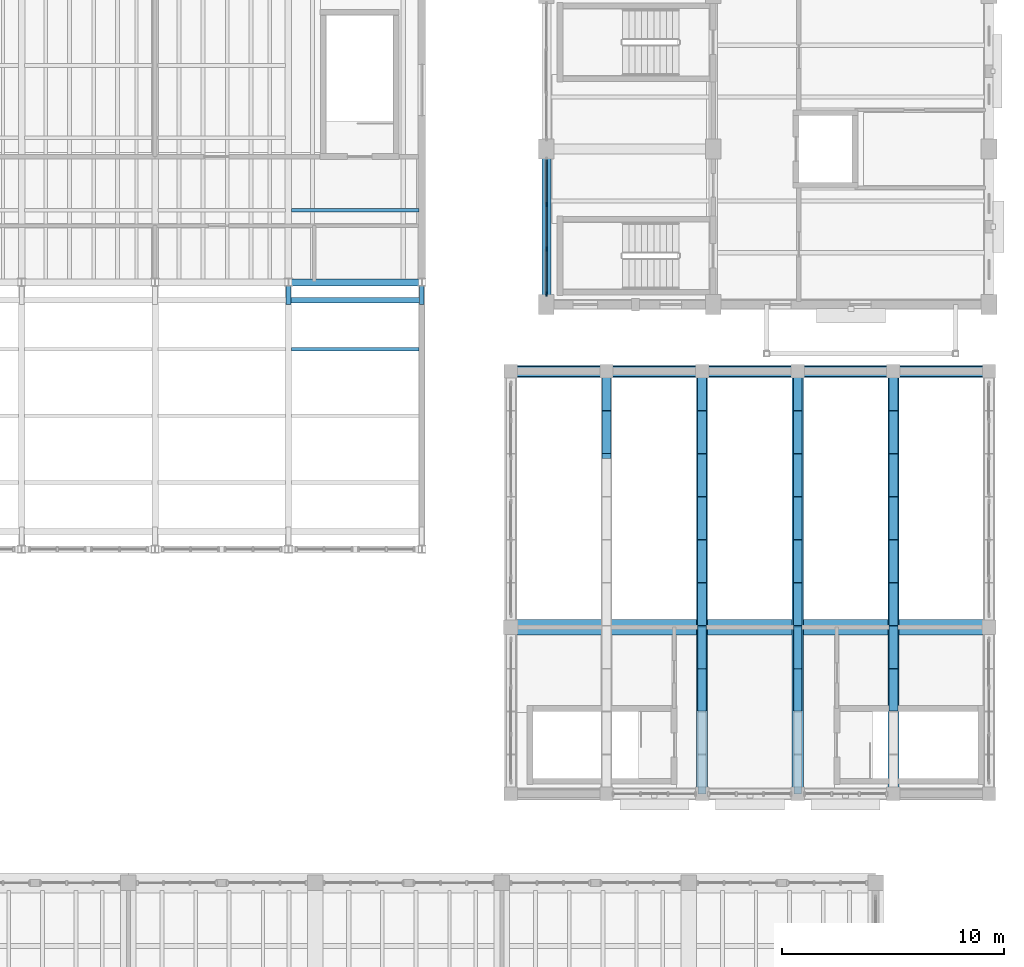
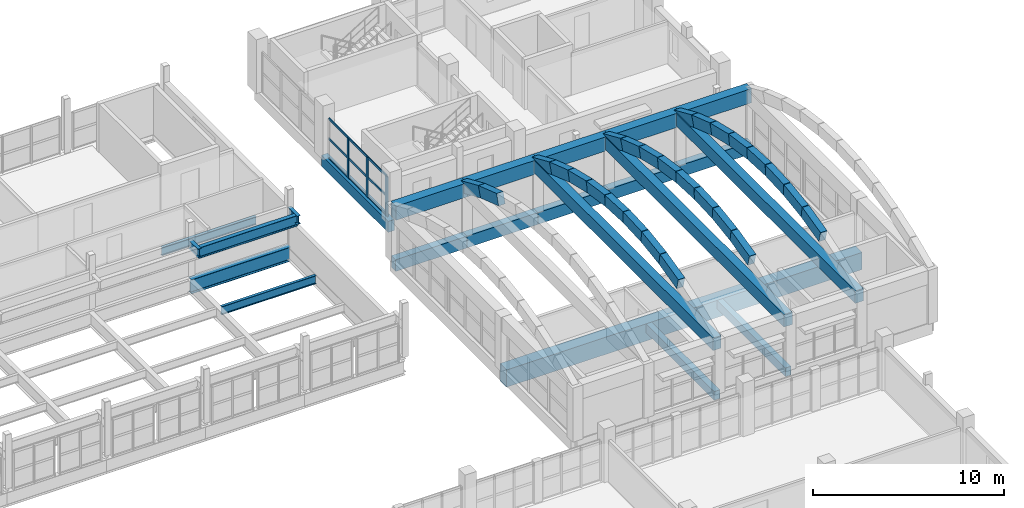
# One storey, part 43 of 77: 32 members, 23 beams, 1 element without a shape of its own.
"""IFC4 building model written with IfcOpenShell, lengths in metres."""

import ifcopenshell
import ifcopenshell.guid

model = None  # the IFC model being written
_history = None  # IfcOwnerHistory: only IFC2X3 demands one
_inside = {}  # id of a spatial element -> (the spatial element, [elements in it])
_under = {}  # id of a project, library or spatial element -> (it, [spatial elements below it])
_declared = {}  # id of a project -> (the project, [libraries it declares])
_typed = {}  # id of a type object -> (the type object, [elements of that type])
_made_of = {}  # id of a material, layer set ... -> (it, [elements and type objects made of it])


def new_model(schema):
    """Start an empty IFC model of exactly this schema.

    Asked for "IFC4X3", IfcOpenShell would pick the latest addendum, in which some entities
    have other attributes; the version numbers below select the first issue.
    IFC2X3 requires an IfcOwnerHistory on every rooted entity: one is made here for all.
    """
    global model, _history
    if schema == "IFC4X3":
        model = ifcopenshell.file(schema_version=(4, 3, 0, 0))
    else:
        model = ifcopenshell.file(schema=schema)
    _inside.clear()
    _under.clear()
    _declared.clear()
    _typed.clear()
    _made_of.clear()
    _history = None
    if model.schema == "IFC2X3":
        org = make("IfcOrganization", Name="unknown")
        user = make(
            "IfcPersonAndOrganization",
            ThePerson=make("IfcPerson", FamilyName="unknown"),
            TheOrganization=org,
        )
        app = make(
            "IfcApplication",
            ApplicationDeveloper=org,
            Version="unknown",
            ApplicationFullName="unknown",
            ApplicationIdentifier="unknown",
        )
        _history = make(
            "IfcOwnerHistory",
            OwningUser=user,
            OwningApplication=app,
            ChangeAction="ADDED",
            CreationDate=0,
        )
    return model


def make(cls, **values):
    """One entity of the class cls with the attributes given. An attribute that is None is left unset."""
    return model.create_entity(
        cls, **{name: value for name, value in values.items() if value is not None}
    )


def rooted(cls, **values):
    """An entity with a GlobalId (a new one), such as an element, a storey or a relation."""
    return make(cls, GlobalId=ifcopenshell.guid.new(), OwnerHistory=_history, **values)


def si_unit(unit_type, name, prefix=None):
    """IfcSIUnit, for example si_unit("LENGTHUNIT", "METRE", prefix="MILLI")."""
    return make("IfcSIUnit", UnitType=unit_type, Prefix=prefix, Name=name)


def assignment(units):
    """IfcUnitAssignment: the units of a project."""
    return None if units is None else make("IfcUnitAssignment", Units=units)


def point(xyz):
    """IfcCartesianPoint."""
    return None if xyz is None else make("IfcCartesianPoint", Coordinates=xyz)


def direction(xyz):
    """IfcDirection."""
    return None if xyz is None else make("IfcDirection", DirectionRatios=xyz)


def frame(location, z_axis=None, x_axis=None):
    """IfcAxis2Placement3D, a coordinate frame: its origin and axes. An axis left out is left unset."""
    return make(
        "IfcAxis2Placement3D",
        Location=point(location),
        Axis=direction(z_axis),
        RefDirection=direction(x_axis),
    )


def frame_2d(location, x_axis=None):
    """IfcAxis2Placement2D, a coordinate frame in the plane: its origin and x axis."""
    return make(
        "IfcAxis2Placement2D", Location=point(location), RefDirection=direction(x_axis)
    )


def origin():
    """The frame at (0, 0, 0) with its axes left unset."""
    return frame((0.0, 0.0, 0.0))


def origin_2d():
    """The frame at (0, 0) in the plane with its x axis left unset."""
    return frame_2d((0.0, 0.0))


def place(relative_to, where):
    """IfcLocalPlacement: puts the frame where relative to a parent placement (None: the world)."""
    return make(
        "IfcLocalPlacement", PlacementRelTo=relative_to, RelativePlacement=where
    )


def context(
    kind, dimensions, precision=None, world=None, true_north=None, identifier=None
):
    """IfcGeometricRepresentationContext, for example the 3D "Model" context."""
    return make(
        "IfcGeometricRepresentationContext",
        ContextIdentifier=identifier,
        ContextType=kind,
        CoordinateSpaceDimension=dimensions,
        Precision=precision,
        WorldCoordinateSystem=world,
        TrueNorth=true_north,
    )


def subcontext(parent, identifier, kind, view, scale=None):
    """IfcGeometricRepresentationSubContext, for example "Body" below "Model"."""
    return make(
        "IfcGeometricRepresentationSubContext",
        ContextIdentifier=identifier,
        ContextType=kind,
        ParentContext=parent,
        TargetScale=scale,
        TargetView=view,
    )


def project(units=None, contexts=None):
    """IfcProject with its units and contexts."""
    return rooted(
        "IfcProject",
        Name="project",
        RepresentationContexts=contexts,
        UnitsInContext=assignment(units),
    )


def spatial(cls, under=None, at=None, **own):
    """A site, building, storey or space (cls), placed at a placement, below another one or the project."""
    s = rooted(cls, ObjectPlacement=at, **own)
    if under is not None:
        _under.setdefault(under.id(), (under, []))[1].append(s)
    return s


def profile(cls, at=None, kind="AREA", **sizes):
    """A parametric profile (cls). Its sizes go by their IFC names, for example OverallWidth=200.0."""
    return make(cls, ProfileType=kind, Position=at, **sizes)


def rectangle(**sizes):
    """IfcRectangleProfileDef."""
    return profile("IfcRectangleProfileDef", **sizes)


def i_section(**sizes):
    """IfcIShapeProfileDef."""
    return profile("IfcIShapeProfileDef", **sizes)


def extrude(swept, where, along, depth):
    """IfcExtrudedAreaSolid: the profile swept, set in the frame where, extruded along a direction by depth."""
    return make(
        "IfcExtrudedAreaSolid",
        SweptArea=swept,
        Position=where,
        ExtrudedDirection=direction(along),
        Depth=depth,
    )


def shape(context_of_items, identifier, shape_type, items):
    """IfcShapeRepresentation: the items that make up one representation, for example the "Body"."""
    return make(
        "IfcShapeRepresentation",
        ContextOfItems=context_of_items,
        RepresentationIdentifier=identifier,
        RepresentationType=shape_type,
        Items=items,
    )


def material(Name=None, Category=None):
    """IfcMaterial."""
    return make("IfcMaterial", Name=Name, Category=Category)


def layer(
    of_material, thickness, ventilated=None, Name=None, Category=None, Priority=None
):
    """IfcMaterialLayer: one layer of a wall or slab, of a material (None: an air gap)."""
    return make(
        "IfcMaterialLayer",
        Material=of_material,
        LayerThickness=thickness,
        IsVentilated=ventilated,
        Name=Name,
        Category=Category,
        Priority=Priority,
    )


def layer_set(layers, Name=None):
    """IfcMaterialLayerSet."""
    return make("IfcMaterialLayerSet", MaterialLayers=layers, LayerSetName=Name)


def material_profile(
    of_material, cross_section, Name=None, Category=None, Priority=None
):
    """IfcMaterialProfile: a cross section and its material."""
    return make(
        "IfcMaterialProfile",
        Name=Name,
        Material=of_material,
        Profile=cross_section,
        Priority=Priority,
        Category=Category,
    )


def profile_set(profiles, Name=None, composite=None):
    """IfcMaterialProfileSet."""
    return make(
        "IfcMaterialProfileSet",
        Name=Name,
        MaterialProfiles=profiles,
        CompositeProfile=composite,
    )


def made_of(thing, what):
    """Note that an element or type object is made of a material, layer set ...; save() writes the relation."""
    if what is not None:
        _made_of.setdefault(what.id(), (what, []))[1].append(thing)
    return thing


def type_object(cls, material=None, **own):
    """A type object (cls), such as IfcWallType, which elements share."""
    return made_of(rooted(cls, **own), material)


def element(
    cls,
    number,
    at=None,
    inside=None,
    cuts=None,
    type_object=None,
    material=None,
    context=None,
    identifier="Body",
    shape_type=None,
    held_by="IfcProductDefinitionShape",
    body=None,
    shapes=None,
    **own,
):
    """One element of the class cls, such as IfcWall. Its Tag is "e" and its number.

    at: its placement. inside: the storey or other place that contains it. cuts: it is an
    opening in that element (IfcRelVoidsElement). A single representation is given by context,
    identifier, shape_type and body (its items); several are given by shapes. held_by: the class
    of the entity that holds the representations. save() writes the other relations.
    """
    e = rooted(cls, Tag="e%d" % number, ObjectPlacement=at, **own)
    if body is not None:
        shapes = [shape(context, identifier, shape_type, body)]
    if shapes is not None:
        e.Representation = make(held_by, Representations=shapes)
    if inside is not None:
        _inside.setdefault(inside.id(), (inside, []))[1].append(e)
    if cuts is not None:
        rooted(
            "IfcRelVoidsElement", RelatingBuildingElement=cuts, RelatedOpeningElement=e
        )
    if type_object is not None:
        _typed.setdefault(type_object.id(), (type_object, []))[1].append(e)
    return made_of(e, material)


def aggregate(whole, parts):
    """IfcRelAggregates: a whole, such as a stair, and the parts it consists of."""
    return rooted("IfcRelAggregates", RelatingObject=whole, RelatedObjects=parts)


def save(model, path):
    """Write the relations noted so far, then the file.

    IfcRelAggregates (storeys below a building ...), IfcRelContainedInSpatialStructure (elements
    in a storey), IfcRelDefinesByType, IfcRelAssociatesMaterial and IfcRelDeclares: one each for
    every whole, place, type object, material and project.
    """
    for whole, parts in _under.values():
        aggregate(whole, parts)
    for where, things in _inside.values():
        rooted(
            "IfcRelContainedInSpatialStructure",
            RelatedElements=things,
            RelatingStructure=where,
        )
    for kind, things in _typed.values():
        rooted("IfcRelDefinesByType", RelatedObjects=things, RelatingType=kind)
    for what, things in _made_of.values():
        rooted("IfcRelAssociatesMaterial", RelatedObjects=things, RelatingMaterial=what)
    for by, libraries in _declared.values():
        rooted("IfcRelDeclares", RelatingContext=by, RelatedDefinitions=libraries)
    model.write(path)


model = new_model("IFC4")

# Units and contexts
model_context = context("Model", 3, precision=1e-05, world=origin(), true_north=direction((0.0, 1.0)))
body_context = subcontext(model_context, "Body", "Model", "MODEL_VIEW")
ifc_project = project(units=[si_unit("LENGTHUNIT", "METRE"), si_unit("AREAUNIT", "SQUARE_METRE"), si_unit("VOLUMEUNIT", "CUBIC_METRE"), si_unit("PLANEANGLEUNIT", "RADIAN"), si_unit("MASSUNIT", "GRAM", prefix="KILO")], contexts=[model_context])

# Site, building, storey
site_placement = place(None, origin())
site = spatial("IfcSite", under=ifc_project, at=site_placement, CompositionType="ELEMENT")
building_placement = place(site_placement, origin())
building = spatial("IfcBuilding", under=site, at=building_placement, Name="Trellovar Central Fire Station", CompositionType="ELEMENT")
storey_placement = place(building_placement, frame((0.0, 0.0, 5.85009765625)))
storey = spatial("IfcBuildingStorey", under=building, at=storey_placement, Name="L02", CompositionType="ELEMENT", Elevation=5.85009765625)

# Beams
ifc_material_1 = material(Name="Concrete C40/50", Category="concrete")
ifc_material_profile_1 = material_profile(ifc_material_1, rectangle(XDim=0.449951171875, YDim=0.75, at=origin_2d()), Name="RC450X750")
ifc_profile_set_1 = profile_set([ifc_material_profile_1], Name="Concrete C40/50")
beam_type_1 = type_object("IfcBeamType", Name="BM-G2", PredefinedType="BEAM", material=ifc_profile_set_1)
for number, where, z_axis, x_axis, name in (
    (1, (139.5, 56.0, -0.375), (1.0, 0.0, 0.0), (0.0, 1.0, 0.0), "L02 beam G-2"),
    (2, (143.800048828125, 56.0, -0.375), (1.0, 0.0, 0.0), (0.0, 1.0, 0.0), "L02 beam G-2"),
):
    element("IfcBeam", number, at=place(storey_placement, frame(where, z_axis=z_axis, x_axis=x_axis)), inside=storey, type_object=beam_type_1, Name=name, PredefinedType="BEAM", context=body_context, shape_type="SweptSolid", body=[
        extrude(rectangle(XDim=0.449951171875, YDim=0.75, at=origin_2d()), origin(), (0.0, 0.0, 1.0), 4.300048828125),
    ])
beam_1_placement = place(storey_placement, frame((148.10009765625, 56.0, -0.375), z_axis=(1.0, 0.0, 0.0), x_axis=(0.0, 1.0, 0.0)))
element("IfcBeam", 3, at=beam_1_placement, inside=storey, type_object=beam_type_1, Name="L02 beam G-2", PredefinedType="BEAM", context=body_context, shape_type="SweptSolid", body=[
    extrude(rectangle(XDim=0.449951171875, YDim=0.75, at=origin_2d()), origin(), (0.0, 0.0, 1.0), 4.2998046875),
])
for number, where, z_axis, x_axis, name in (
    (4, (152.39990234375, 56.0, -0.375), (1.0, 0.0, 0.0), (0.0, 1.0, 0.0), "L02 beam G-2"),
    (5, (156.699951171875, 56.0, -0.375), (1.0, 0.0, 0.0), (0.0, 1.0, 0.0), "L02 beam G-2"),
):
    element("IfcBeam", number, at=place(storey_placement, frame(where, z_axis=z_axis, x_axis=x_axis)), inside=storey, type_object=beam_type_1, Name=name, PredefinedType="BEAM", context=body_context, shape_type="SweptSolid", body=[
        extrude(rectangle(XDim=0.449951171875, YDim=0.75, at=origin_2d()), origin(), (0.0, 0.0, 1.0), 4.300048828125),
    ])
ifc_material_2 = material(Name="Concrete C40/50", Category="concrete")
ifc_material_profile_2 = material_profile(ifc_material_2, rectangle(XDim=0.39990234375, YDim=0.699951171875, at=origin_2d()), Name="RC400X700")
ifc_profile_set_2 = profile_set([ifc_material_profile_2], Name="Concrete C40/50")
beam_type_2 = type_object("IfcBeamType", Name="BM-G3", PredefinedType="BEAM", material=ifc_profile_set_2)
beam_2_placement = place(storey_placement, frame((141.10009765625, 59.0, -0.35009765625), z_axis=(0.0, 1.0, 0.0), x_axis=(-1.0, 0.0, 0.0)))
element("IfcBeam", 6, at=beam_2_placement, inside=storey, type_object=beam_type_2, Name="L02 beam G-3", PredefinedType="BEAM", context=body_context, shape_type="SweptSolid", body=[
    extrude(rectangle(XDim=0.39990234375, YDim=0.699951171875, at=origin_2d()), origin(), (0.0, 0.0, 1.0), 7.0),
])
ifc_material_3 = material(Name="Concrete C40/50", Category="concrete")
ifc_material_profile_3 = material_profile(ifc_material_3, rectangle(XDim=0.35009765625, YDim=0.550048828125, at=origin_2d()), Name="RC350X550")
ifc_profile_set_3 = profile_set([ifc_material_profile_3], Name="Concrete C40/50")
beam_type_3 = type_object("IfcBeamType", Name="BM-RAKER", PredefinedType="BEAM", material=ifc_profile_set_3)
for number, where, z_axis, x_axis, name in (
    (7, (148.10009765625, 37.0, -0.275146484375), (0.0, 1.0, 0.0), (-1.0, 0.0, 0.0), "Lecture gallery support raker beam"),
    (8, (152.39990234375, 37.0, -0.275146484375), (0.0, 1.0, 0.0), (-1.0, 0.0, 0.0), "Lecture gallery support raker beam"),
):
    element("IfcBeam", number, at=place(storey_placement, frame(where, z_axis=z_axis, x_axis=x_axis)), inside=storey, type_object=beam_type_3, Name=name, PredefinedType="BEAM", context=body_context, shape_type="SweptSolid", body=[
        extrude(rectangle(XDim=0.35009765625, YDim=0.550048828125, at=origin_2d()), origin(), (0.0, 0.0, 1.0), 7.5),
    ])
ifc_material_4 = material(Name="Concrete C40/50", Category="concrete")
ifc_material_profile_4 = material_profile(ifc_material_4, rectangle(XDim=0.699951171875, YDim=1.10009765625, at=origin_2d()), Name="RC700X1100")
ifc_profile_set_4 = profile_set([ifc_material_profile_4], Name="Concrete C40/50")
beam_type_4 = type_object("IfcBeamType", Name="BM-RG1", PredefinedType="BEAM", material=ifc_profile_set_4)
beam_3_placement = place(storey_placement, frame((139.5, 44.5, -0.550048828125), z_axis=(1.0, 0.0, 0.0), x_axis=(0.0, 1.0, 0.0)))
element("IfcBeam", 9, at=beam_3_placement, inside=storey, type_object=beam_type_4, Name="V3 projection gallery clear-span girder", PredefinedType="BEAM", context=body_context, shape_type="SweptSolid", body=[
    extrude(rectangle(XDim=0.699951171875, YDim=1.10009765625, at=origin_2d()), origin(), (0.0, 0.0, 1.0), 21.5),
])
ifc_material_5 = material(Name="Concrete C40/50", Category="concrete")
ifc_material_profile_5 = material_profile(ifc_material_5, rectangle(XDim=0.550048828125, YDim=0.89990234375, at=origin_2d()), Name="RC550X900")
ifc_profile_set_5 = profile_set([ifc_material_profile_5], Name="Concrete C40/50")
beam_type_5 = type_object("IfcBeamType", Name="BM-RG3", PredefinedType="BEAM", material=ifc_profile_set_5)
for number, where, z_axis, x_axis, name in (
    (10, (139.5, 56.0, 3.0), (1.0, 0.0, 0.0), (0.0, 1.0, 0.0), "L02 beam RG-3"),
    (11, (143.800048828125, 56.0, 3.0), (1.0, 0.0, 0.0), (0.0, 1.0, 0.0), "L02 beam RG-3"),
):
    element("IfcBeam", number, at=place(storey_placement, frame(where, z_axis=z_axis, x_axis=x_axis)), inside=storey, type_object=beam_type_5, Name=name, PredefinedType="BEAM", context=body_context, shape_type="SweptSolid", body=[
        extrude(rectangle(XDim=0.550048828125, YDim=0.89990234375, at=origin_2d()), origin(), (0.0, 0.0, 1.0), 4.300048828125),
    ])
beam_4_placement = place(storey_placement, frame((148.10009765625, 56.0, 3.0), z_axis=(1.0, 0.0, 0.0), x_axis=(0.0, 1.0, 0.0)))
element("IfcBeam", 12, at=beam_4_placement, inside=storey, type_object=beam_type_5, Name="L02 beam RG-3", PredefinedType="BEAM", context=body_context, shape_type="SweptSolid", body=[
    extrude(rectangle(XDim=0.550048828125, YDim=0.89990234375, at=origin_2d()), origin(), (0.0, 0.0, 1.0), 4.2998046875),
])
for number, where, z_axis, x_axis, name in (
    (13, (152.39990234375, 56.0, 3.0), (1.0, 0.0, 0.0), (0.0, 1.0, 0.0), "L02 beam RG-3"),
    (14, (156.699951171875, 56.0, 3.0), (1.0, 0.0, 0.0), (0.0, 1.0, 0.0), "L02 beam RG-3"),
):
    element("IfcBeam", number, at=place(storey_placement, frame(where, z_axis=z_axis, x_axis=x_axis)), inside=storey, type_object=beam_type_5, Name=name, PredefinedType="BEAM", context=body_context, shape_type="SweptSolid", body=[
        extrude(rectangle(XDim=0.550048828125, YDim=0.89990234375, at=origin_2d()), origin(), (0.0, 0.0, 1.0), 4.300048828125),
    ])
ifc_material_6 = material(Name="Steel ASTM A992 Grade 50", Category="steel")
ifc_material_profile_6 = material_profile(ifc_material_6, i_section(OverallWidth=0.3046875, OverallDepth=0.911865234375, WebThickness=0.015869140625, FlangeThickness=0.02392578125, FilletRadius=0.024169921875, at=origin_2d()), Name="W36X150")
ifc_profile_set_6 = profile_set([ifc_material_profile_6], Name="Steel ASTM A992 Grade 50")
beam_type_6 = type_object("IfcBeamType", Name="BM-SW1", PredefinedType="BEAM", material=ifc_profile_set_6)
beam_5_placement = place(storey_placement, frame((129.5, 60.0, -0.7060546875), z_axis=(1.0, 0.0, 0.0), x_axis=(0.0, 1.0, 0.0)))
element("IfcBeam", 15, at=beam_5_placement, inside=storey, type_object=beam_type_6, Name="L02 beam SB-1", PredefinedType="BEAM", context=body_context, shape_type="SweptSolid", body=[
    extrude(i_section(OverallWidth=0.3046875, OverallDepth=0.911865234375, WebThickness=0.015869140625, FlangeThickness=0.02392578125, FilletRadius=0.024169921875, at=origin_2d()), origin(), (0.0, 0.0, 1.0), 6.0),
])
ifc_material_7 = material(Name="Steel ASTM A992 Grade 50", Category="steel")
ifc_material_profile_7 = material_profile(ifc_material_7, i_section(OverallWidth=0.253662109375, OverallDepth=0.683349609375, WebThickness=0.012451171875, FlangeThickness=0.018798828125, FilletRadius=0.0166015625, at=origin_2d()), Name="W27X94")
ifc_profile_set_7 = profile_set([ifc_material_profile_7], Name="Steel ASTM A992 Grade 50")
beam_type_7 = type_object("IfcBeamType", Name="BM-SW4", PredefinedType="BEAM", material=ifc_profile_set_7)
beam_6_placement = place(storey_placement, frame((129.5, 59.199951171875, 1.908203125), z_axis=(1.0, 0.0, 0.0), x_axis=(0.0, 1.0, 0.0)))
element("IfcBeam", 16, at=beam_6_placement, inside=storey, type_object=beam_type_7, Name="Fleet workshop 10t bridge crane runway beam", PredefinedType="BEAM", context=body_context, shape_type="SweptSolid", body=[
    extrude(i_section(OverallWidth=0.253662109375, OverallDepth=0.683349609375, WebThickness=0.012451171875, FlangeThickness=0.018798828125, FilletRadius=0.0166015625, at=origin_2d()), origin(), (0.0, 0.0, 1.0), 6.0),
])
ifc_material_8 = material(Name="Steel ASTM A992 Grade 50", Category="steel")
ifc_material_profile_8 = material_profile(ifc_material_8, i_section(OverallWidth=0.209228515625, OverallDepth=0.533447265625, WebThickness=0.01025390625, FlangeThickness=0.015625, FilletRadius=0.013916015625, at=origin_2d()), Name="W21X62")
ifc_profile_set_8 = profile_set([ifc_material_profile_8], Name="Steel ASTM A992 Grade 50")
beam_type_8 = type_object("IfcBeamType", Name="BM-SW7", PredefinedType="BEAM", material=ifc_profile_set_8)
for number, where, z_axis, x_axis, name in (
    (17, (129.5, 59.0, 1.983154296875), (0.0, 1.0, 0.0), (-1.0, 0.0, 0.0), "Crane runway column corbel N"),
    (18, (135.5, 59.0, 1.983154296875), (0.0, 1.0, 0.0), (-1.0, 0.0, 0.0), "Crane runway column corbel N"),
):
    element("IfcBeam", number, at=place(storey_placement, frame(where, z_axis=z_axis, x_axis=x_axis)), inside=storey, type_object=beam_type_8, Name=name, PredefinedType="BEAM", context=body_context, shape_type="SweptSolid", body=[
        extrude(i_section(OverallWidth=0.209228515625, OverallDepth=0.533447265625, WebThickness=0.01025390625, FlangeThickness=0.015625, FilletRadius=0.013916015625, at=origin_2d()), origin(), (0.0, 0.0, 1.0), 1.0),
    ])
ifc_material_9 = material(Name="Steel ASTM A992 Grade 50", Category="steel")
ifc_material_profile_9 = material_profile(ifc_material_9, i_section(OverallWidth=0.166015625, OverallDepth=0.529052734375, WebThickness=0.009765625, FlangeThickness=0.013671875, FilletRadius=0.013916015625, at=origin_2d()), Name="W21X50")
ifc_profile_set_9 = profile_set([ifc_material_profile_9], Name="Steel ASTM A992 Grade 50")
beam_type_9 = type_object("IfcBeamType", Name="BM-SW8", PredefinedType="JOIST", material=ifc_profile_set_9)
for number, where, z_axis, x_axis, name in (
    (19, (129.64111328125, 57.0, -0.5146484375), (1.0, 0.0, 0.0), (0.0, 1.0, 0.0), "L02 beam SB-8"),
    (20, (129.64111328125, 63.25, -0.5146484375), (1.0, 0.0, 0.0), (0.0, 1.0, 0.0), "L02 beam SB-8"),
):
    element("IfcBeam", number, at=place(storey_placement, frame(where, z_axis=z_axis, x_axis=x_axis)), inside=storey, type_object=beam_type_9, Name=name, PredefinedType="JOIST", context=body_context, shape_type="SweptSolid", body=[
        extrude(i_section(OverallWidth=0.166015625, OverallDepth=0.529052734375, WebThickness=0.009765625, FlangeThickness=0.013671875, FilletRadius=0.013916015625, at=origin_2d()), origin(), (0.0, 0.0, 1.0), 5.7177734375),
    ])
ifc_material_10 = material(Name="Concrete C40/50", Category="concrete")
ifc_material_profile_10 = material_profile(ifc_material_10, rectangle(XDim=0.5, YDim=0.800048828125, at=origin_2d()), Name="RC500X800")
ifc_profile_set_10 = profile_set([ifc_material_profile_10], Name="Concrete C40/50")
beam_type_10 = type_object("IfcBeamType", Name="BM-VT1", PredefinedType="BEAM", material=ifc_profile_set_10)
for number, where, z_axis, x_axis, name in (
    (21, (148.10009765625, 37.0, 3.0498046875), (0.0, 1.0, 0.0), (-1.0, 0.0, 0.0), "V3 vault tension tie beam VT-2-03"),
    (22, (152.39990234375, 37.0, 3.0498046875), (0.0, 1.0, 0.0), (-1.0, 0.0, 0.0), "V3 vault tension tie beam VT-2-04"),
    (23, (156.699951171875, 37.0, 3.0498046875), (0.0, 1.0, 0.0), (-1.0, 0.0, 0.0), "V3 vault tension tie beam VT-2-05"),
):
    element("IfcBeam", number, at=place(storey_placement, frame(where, z_axis=z_axis, x_axis=x_axis)), inside=storey, type_object=beam_type_10, Name=name, PredefinedType="BEAM", context=body_context, shape_type="SweptSolid", body=[
        extrude(rectangle(XDim=0.5, YDim=0.800048828125, at=origin_2d()), origin(), (0.0, 0.0, 1.0), 19.0),
    ])

# Curtain wall, members
ifc_material_11 = material(Name="Thermally broken bronze anodized aluminum", Category="aluminium")
ifc_layer = layer(ifc_material_11, 0.159912109375)
ifc_layer_set = layer_set([ifc_layer], Name="Thermally broken bronze anodized aluminum")
curtain_wall_type = type_object("IfcCurtainWallType", Name="CW-07", PredefinedType="NOTDEFINED", material=ifc_layer_set)
curtain_wall_placement = place(storey_placement, origin())
curtain_wall = element("IfcCurtainWall", 24, at=curtain_wall_placement, inside=storey, type_object=curtain_wall_type, Name="V2 L02 west drill yard curtain wall", PredefinedType="NOTDEFINED")
ifc_material_12 = material(Name="Thermally broken bronze anodized aluminum", Category="aluminium")
ifc_material_profile_11 = material_profile(ifc_material_12, rectangle(XDim=0.074951171875, YDim=0.199951171875, at=origin_2d()), Name="ALU75X200")
ifc_profile_set_11 = profile_set([ifc_material_profile_11], Name="Thermally broken bronze anodized aluminum")
member_type_1 = type_object("IfcMemberType", Name="CWM-1", PredefinedType="MULLION", material=ifc_profile_set_11)
member_1_placement = place(storey_placement, frame((141.10009765625, 59.47998046875, 0.0), z_axis=(0.0, 0.0, 1.0), x_axis=(1.0, 0.0, 0.0)))
member_1 = element("IfcMember", 25, at=member_1_placement, type_object=member_type_1, Name="CW3-L02-0157 mullion 1", PredefinedType="MULLION", context=body_context, shape_type="SweptSolid", body=[
    extrude(rectangle(XDim=0.074951171875, YDim=0.199951171875, at=origin_2d()), origin(), (0.0, 0.0, 1.0), 2.5498046875),
])
member_2_placement = place(storey_placement, frame((141.10009765625, 61.493408203125, 0.0), z_axis=(0.0, 0.0, 1.0), x_axis=(1.0, 0.0, 0.0)))
member_2 = element("IfcMember", 26, at=member_2_placement, type_object=member_type_1, Name="CW3-L02-0157 mullion 2", PredefinedType="MULLION", context=body_context, shape_type="SweptSolid", body=[
    extrude(rectangle(XDim=0.074951171875, YDim=0.199951171875, at=origin_2d()), origin(), (0.0, 0.0, 1.0), 2.5498046875),
])
member_3_placement = place(storey_placement, frame((141.10009765625, 63.506591796875, 0.0), z_axis=(0.0, 0.0, 1.0), x_axis=(1.0, 0.0, 0.0)))
member_3 = element("IfcMember", 27, at=member_3_placement, type_object=member_type_1, Name="CW3-L02-0157 mullion 3", PredefinedType="MULLION", context=body_context, shape_type="SweptSolid", body=[
    extrude(rectangle(XDim=0.074951171875, YDim=0.199951171875, at=origin_2d()), origin(), (0.0, 0.0, 1.0), 2.5498046875),
])
ifc_material_13 = material(Name="Thermally broken bronze anodized aluminum", Category="aluminium")
ifc_material_profile_12 = material_profile(ifc_material_13, rectangle(XDim=0.06005859375, YDim=0.139892578125, at=origin_2d()), Name="ALU60X140")
ifc_profile_set_12 = profile_set([ifc_material_profile_12], Name="Thermally broken bronze anodized aluminum")
member_type_2 = type_object("IfcMemberType", Name="CWT-1", PredefinedType="USERDEFINED", material=ifc_profile_set_12)
member_4_placement = place(storey_placement, frame((141.10009765625, 59.47998046875, 0.0), z_axis=(0.0, 1.0, 0.0), x_axis=(-1.0, 0.0, 0.0)))
member_4 = element("IfcMember", 28, at=member_4_placement, type_object=member_type_2, Name="CW3-L02-0157 transom 1", ObjectType="TRANSOM", PredefinedType="USERDEFINED", context=body_context, shape_type="SweptSolid", body=[
    extrude(rectangle(XDim=0.06005859375, YDim=0.139892578125, at=origin_2d()), origin(), (0.0, 0.0, 1.0), 6.0400390625),
])
member_5_placement = place(storey_placement, frame((141.10009765625, 59.47998046875, 1.27490234375), z_axis=(0.0, 1.0, 0.0), x_axis=(-1.0, 0.0, 0.0)))
member_5 = element("IfcMember", 29, at=member_5_placement, type_object=member_type_2, Name="CW3-L02-0157 transom 2", ObjectType="TRANSOM", PredefinedType="USERDEFINED", context=body_context, shape_type="SweptSolid", body=[
    extrude(rectangle(XDim=0.06005859375, YDim=0.139892578125, at=origin_2d()), origin(), (0.0, 0.0, 1.0), 6.0400390625),
])
member_6_placement = place(storey_placement, frame((141.10009765625, 59.47998046875, 2.5498046875), z_axis=(0.0, 1.0, 0.0), x_axis=(-1.0, 0.0, 0.0)))
member_6 = element("IfcMember", 30, at=member_6_placement, type_object=member_type_2, Name="CW3-L02-0157 transom 3", ObjectType="TRANSOM", PredefinedType="USERDEFINED", context=body_context, shape_type="SweptSolid", body=[
    extrude(rectangle(XDim=0.06005859375, YDim=0.139892578125, at=origin_2d()), origin(), (0.0, 0.0, 1.0), 6.0400390625),
])
aggregate(curtain_wall, [member_1, member_2, member_3, member_4, member_5, member_6])

# Members
ifc_material_14 = material(Name="Concrete C40/50", Category="concrete")
ifc_material_profile_13 = material_profile(ifc_material_14, rectangle(XDim=0.39990234375, YDim=0.699951171875, at=origin_2d()), Name="RC400X700")
ifc_profile_set_13 = profile_set([ifc_material_profile_13], Name="Concrete C40/50")
member_type_3 = type_object("IfcMemberType", Name="MEM-LR1", PredefinedType="CHORD", material=ifc_profile_set_13)
member_7_placement = place(storey_placement, frame((143.800048828125, 52.199951171875, 4.572021484375), z_axis=(0.0, 0.947077166316, -0.321005982878), x_axis=(-1.0, 0.0, 0.0)))
element("IfcMember", 31, at=member_7_placement, inside=storey, type_object=member_type_3, Name="Lecture vault arch rib LR-02 chord 09", PredefinedType="CHORD", context=body_context, shape_type="SweptSolid", body=[
    extrude(rectangle(XDim=0.39990234375, YDim=0.699951171875, at=origin_2d()), origin(), (0.0, 0.0, 1.0), 2.00634765625),
])
member_8_placement = place(storey_placement, frame((143.800048828125, 54.10009765625, 3.927978515625), z_axis=(0.0, 0.916702602912, -0.399570191349), x_axis=(-1.0, 0.0, 0.0)))
element("IfcMember", 32, at=member_8_placement, inside=storey, type_object=member_type_3, Name="Lecture vault arch rib LR-02 chord 10", PredefinedType="CHORD", context=body_context, shape_type="SweptSolid", body=[
    extrude(rectangle(XDim=0.39990234375, YDim=0.699951171875, at=origin_2d()), origin(), (0.0, 0.0, 1.0), 2.072509765625),
])
member_9_placement = place(storey_placement, frame((148.10009765625, 40.800048828125, 4.572021484375), z_axis=(0.0, 0.971922850781, 0.235299749534), x_axis=(-1.0, 0.0, 0.0)))
element("IfcMember", 33, at=member_9_placement, inside=storey, type_object=member_type_3, Name="Lecture vault arch rib LR-03 chord 03", PredefinedType="CHORD", context=body_context, shape_type="SweptSolid", body=[
    extrude(rectangle(XDim=0.39990234375, YDim=0.699951171875, at=origin_2d()), origin(), (0.0, 0.0, 1.0), 1.954833984375),
])
member_10_placement = place(storey_placement, frame((148.10009765625, 42.699951171875, 5.031982421875), z_axis=(0.0, 0.989623946132, 0.143681749856), x_axis=(-1.0, 0.0, 0.0)))
element("IfcMember", 34, at=member_10_placement, inside=storey, type_object=member_type_3, Name="Lecture vault arch rib LR-03 chord 04", PredefinedType="CHORD", context=body_context, shape_type="SweptSolid", body=[
    extrude(rectangle(XDim=0.39990234375, YDim=0.699951171875, at=origin_2d()), origin(), (0.0, 0.0, 1.0), 1.920166015625),
])
for number, where, z_axis, x_axis, name in (
    (35, (148.10009765625, 44.60009765625, 5.307861328125), (0.0, 0.9988285962, 0.048388380978), (-1.0, 0.0, 0.0), "Lecture vault arch rib LR-03 chord 05"),
    (36, (148.10009765625, 46.5, 5.39990234375), (0.0, 0.9988285962, -0.048388380978), (-1.0, 0.0, 0.0), "Lecture vault arch rib LR-03 chord 06"),
):
    element("IfcMember", number, at=place(storey_placement, frame(where, z_axis=z_axis, x_axis=x_axis)), inside=storey, type_object=member_type_3, Name=name, PredefinedType="CHORD", context=body_context, shape_type="SweptSolid", body=[
        extrude(rectangle(XDim=0.39990234375, YDim=0.699951171875, at=origin_2d()), origin(), (0.0, 0.0, 1.0), 1.902099609375),
    ])
member_11_placement = place(storey_placement, frame((148.10009765625, 48.39990234375, 5.307861328125), z_axis=(0.0, 0.989623946132, -0.143681749856), x_axis=(-1.0, 0.0, 0.0)))
element("IfcMember", 37, at=member_11_placement, inside=storey, type_object=member_type_3, Name="Lecture vault arch rib LR-03 chord 07", PredefinedType="CHORD", context=body_context, shape_type="SweptSolid", body=[
    extrude(rectangle(XDim=0.39990234375, YDim=0.699951171875, at=origin_2d()), origin(), (0.0, 0.0, 1.0), 1.920166015625),
])
member_12_placement = place(storey_placement, frame((148.10009765625, 50.300048828125, 5.031982421875), z_axis=(0.0, 0.971922850781, -0.235299749534), x_axis=(-1.0, 0.0, 0.0)))
element("IfcMember", 38, at=member_12_placement, inside=storey, type_object=member_type_3, Name="Lecture vault arch rib LR-03 chord 08", PredefinedType="CHORD", context=body_context, shape_type="SweptSolid", body=[
    extrude(rectangle(XDim=0.39990234375, YDim=0.699951171875, at=origin_2d()), origin(), (0.0, 0.0, 1.0), 1.954833984375),
])
member_13_placement = place(storey_placement, frame((148.10009765625, 52.199951171875, 4.572021484375), z_axis=(0.0, 0.947077166316, -0.321005982878), x_axis=(-1.0, 0.0, 0.0)))
element("IfcMember", 39, at=member_13_placement, inside=storey, type_object=member_type_3, Name="Lecture vault arch rib LR-03 chord 09", PredefinedType="CHORD", context=body_context, shape_type="SweptSolid", body=[
    extrude(rectangle(XDim=0.39990234375, YDim=0.699951171875, at=origin_2d()), origin(), (0.0, 0.0, 1.0), 2.00634765625),
])
member_14_placement = place(storey_placement, frame((148.10009765625, 54.10009765625, 3.927978515625), z_axis=(0.0, 0.916702602912, -0.399570191349), x_axis=(-1.0, 0.0, 0.0)))
element("IfcMember", 40, at=member_14_placement, inside=storey, type_object=member_type_3, Name="Lecture vault arch rib LR-03 chord 10", PredefinedType="CHORD", context=body_context, shape_type="SweptSolid", body=[
    extrude(rectangle(XDim=0.39990234375, YDim=0.699951171875, at=origin_2d()), origin(), (0.0, 0.0, 1.0), 2.072509765625),
])
member_15_placement = place(storey_placement, frame((152.39990234375, 40.800048828125, 4.572021484375), z_axis=(0.0, 0.971922850781, 0.235299749534), x_axis=(-1.0, 0.0, 0.0)))
element("IfcMember", 41, at=member_15_placement, inside=storey, type_object=member_type_3, Name="Lecture vault arch rib LR-04 chord 03", PredefinedType="CHORD", context=body_context, shape_type="SweptSolid", body=[
    extrude(rectangle(XDim=0.39990234375, YDim=0.699951171875, at=origin_2d()), origin(), (0.0, 0.0, 1.0), 1.954833984375),
])
member_16_placement = place(storey_placement, frame((152.39990234375, 42.699951171875, 5.031982421875), z_axis=(0.0, 0.989623946132, 0.143681749856), x_axis=(-1.0, 0.0, 0.0)))
element("IfcMember", 42, at=member_16_placement, inside=storey, type_object=member_type_3, Name="Lecture vault arch rib LR-04 chord 04", PredefinedType="CHORD", context=body_context, shape_type="SweptSolid", body=[
    extrude(rectangle(XDim=0.39990234375, YDim=0.699951171875, at=origin_2d()), origin(), (0.0, 0.0, 1.0), 1.920166015625),
])
for number, where, z_axis, x_axis, name in (
    (43, (152.39990234375, 44.60009765625, 5.307861328125), (0.0, 0.9988285962, 0.048388380978), (-1.0, 0.0, 0.0), "Lecture vault arch rib LR-04 chord 05"),
    (44, (152.39990234375, 46.5, 5.39990234375), (0.0, 0.9988285962, -0.048388380978), (-1.0, 0.0, 0.0), "Lecture vault arch rib LR-04 chord 06"),
):
    element("IfcMember", number, at=place(storey_placement, frame(where, z_axis=z_axis, x_axis=x_axis)), inside=storey, type_object=member_type_3, Name=name, PredefinedType="CHORD", context=body_context, shape_type="SweptSolid", body=[
        extrude(rectangle(XDim=0.39990234375, YDim=0.699951171875, at=origin_2d()), origin(), (0.0, 0.0, 1.0), 1.902099609375),
    ])
member_17_placement = place(storey_placement, frame((152.39990234375, 48.39990234375, 5.307861328125), z_axis=(0.0, 0.989623946132, -0.143681749856), x_axis=(-1.0, 0.0, 0.0)))
element("IfcMember", 45, at=member_17_placement, inside=storey, type_object=member_type_3, Name="Lecture vault arch rib LR-04 chord 07", PredefinedType="CHORD", context=body_context, shape_type="SweptSolid", body=[
    extrude(rectangle(XDim=0.39990234375, YDim=0.699951171875, at=origin_2d()), origin(), (0.0, 0.0, 1.0), 1.920166015625),
])
member_18_placement = place(storey_placement, frame((152.39990234375, 50.300048828125, 5.031982421875), z_axis=(0.0, 0.971922850781, -0.235299749534), x_axis=(-1.0, 0.0, 0.0)))
element("IfcMember", 46, at=member_18_placement, inside=storey, type_object=member_type_3, Name="Lecture vault arch rib LR-04 chord 08", PredefinedType="CHORD", context=body_context, shape_type="SweptSolid", body=[
    extrude(rectangle(XDim=0.39990234375, YDim=0.699951171875, at=origin_2d()), origin(), (0.0, 0.0, 1.0), 1.954833984375),
])
member_19_placement = place(storey_placement, frame((152.39990234375, 52.199951171875, 4.572021484375), z_axis=(0.0, 0.947077166316, -0.321005982878), x_axis=(-1.0, 0.0, 0.0)))
element("IfcMember", 47, at=member_19_placement, inside=storey, type_object=member_type_3, Name="Lecture vault arch rib LR-04 chord 09", PredefinedType="CHORD", context=body_context, shape_type="SweptSolid", body=[
    extrude(rectangle(XDim=0.39990234375, YDim=0.699951171875, at=origin_2d()), origin(), (0.0, 0.0, 1.0), 2.00634765625),
])
member_20_placement = place(storey_placement, frame((152.39990234375, 54.10009765625, 3.927978515625), z_axis=(0.0, 0.916702602912, -0.399570191349), x_axis=(-1.0, 0.0, 0.0)))
element("IfcMember", 48, at=member_20_placement, inside=storey, type_object=member_type_3, Name="Lecture vault arch rib LR-04 chord 10", PredefinedType="CHORD", context=body_context, shape_type="SweptSolid", body=[
    extrude(rectangle(XDim=0.39990234375, YDim=0.699951171875, at=origin_2d()), origin(), (0.0, 0.0, 1.0), 2.072509765625),
])
member_21_placement = place(storey_placement, frame((156.699951171875, 40.800048828125, 4.572021484375), z_axis=(0.0, 0.971922850781, 0.235299749534), x_axis=(-1.0, 0.0, 0.0)))
element("IfcMember", 49, at=member_21_placement, inside=storey, type_object=member_type_3, Name="Lecture vault arch rib LR-05 chord 03", PredefinedType="CHORD", context=body_context, shape_type="SweptSolid", body=[
    extrude(rectangle(XDim=0.39990234375, YDim=0.699951171875, at=origin_2d()), origin(), (0.0, 0.0, 1.0), 1.954833984375),
])
member_22_placement = place(storey_placement, frame((156.699951171875, 42.699951171875, 5.031982421875), z_axis=(0.0, 0.989623946132, 0.143681749856), x_axis=(-1.0, 0.0, 0.0)))
element("IfcMember", 50, at=member_22_placement, inside=storey, type_object=member_type_3, Name="Lecture vault arch rib LR-05 chord 04", PredefinedType="CHORD", context=body_context, shape_type="SweptSolid", body=[
    extrude(rectangle(XDim=0.39990234375, YDim=0.699951171875, at=origin_2d()), origin(), (0.0, 0.0, 1.0), 1.920166015625),
])
for number, where, z_axis, x_axis, name in (
    (51, (156.699951171875, 44.60009765625, 5.307861328125), (0.0, 0.9988285962, 0.048388380978), (-1.0, 0.0, 0.0), "Lecture vault arch rib LR-05 chord 05"),
    (52, (156.699951171875, 46.5, 5.39990234375), (0.0, 0.9988285962, -0.048388380978), (-1.0, 0.0, 0.0), "Lecture vault arch rib LR-05 chord 06"),
):
    element("IfcMember", number, at=place(storey_placement, frame(where, z_axis=z_axis, x_axis=x_axis)), inside=storey, type_object=member_type_3, Name=name, PredefinedType="CHORD", context=body_context, shape_type="SweptSolid", body=[
        extrude(rectangle(XDim=0.39990234375, YDim=0.699951171875, at=origin_2d()), origin(), (0.0, 0.0, 1.0), 1.902099609375),
    ])
member_23_placement = place(storey_placement, frame((156.699951171875, 48.39990234375, 5.307861328125), z_axis=(0.0, 0.989623946132, -0.143681749856), x_axis=(-1.0, 0.0, 0.0)))
element("IfcMember", 53, at=member_23_placement, inside=storey, type_object=member_type_3, Name="Lecture vault arch rib LR-05 chord 07", PredefinedType="CHORD", context=body_context, shape_type="SweptSolid", body=[
    extrude(rectangle(XDim=0.39990234375, YDim=0.699951171875, at=origin_2d()), origin(), (0.0, 0.0, 1.0), 1.920166015625),
])
member_24_placement = place(storey_placement, frame((156.699951171875, 50.300048828125, 5.031982421875), z_axis=(0.0, 0.971922850781, -0.235299749534), x_axis=(-1.0, 0.0, 0.0)))
element("IfcMember", 54, at=member_24_placement, inside=storey, type_object=member_type_3, Name="Lecture vault arch rib LR-05 chord 08", PredefinedType="CHORD", context=body_context, shape_type="SweptSolid", body=[
    extrude(rectangle(XDim=0.39990234375, YDim=0.699951171875, at=origin_2d()), origin(), (0.0, 0.0, 1.0), 1.954833984375),
])
member_25_placement = place(storey_placement, frame((156.699951171875, 52.199951171875, 4.572021484375), z_axis=(0.0, 0.947077166316, -0.321005982878), x_axis=(-1.0, 0.0, 0.0)))
element("IfcMember", 55, at=member_25_placement, inside=storey, type_object=member_type_3, Name="Lecture vault arch rib LR-05 chord 09", PredefinedType="CHORD", context=body_context, shape_type="SweptSolid", body=[
    extrude(rectangle(XDim=0.39990234375, YDim=0.699951171875, at=origin_2d()), origin(), (0.0, 0.0, 1.0), 2.00634765625),
])
member_26_placement = place(storey_placement, frame((156.699951171875, 54.10009765625, 3.927978515625), z_axis=(0.0, 0.916702602912, -0.399570191349), x_axis=(-1.0, 0.0, 0.0)))
element("IfcMember", 56, at=member_26_placement, inside=storey, type_object=member_type_3, Name="Lecture vault arch rib LR-05 chord 10", PredefinedType="CHORD", context=body_context, shape_type="SweptSolid", body=[
    extrude(rectangle(XDim=0.39990234375, YDim=0.699951171875, at=origin_2d()), origin(), (0.0, 0.0, 1.0), 2.072509765625),
])

save(model, "model.ifc")
